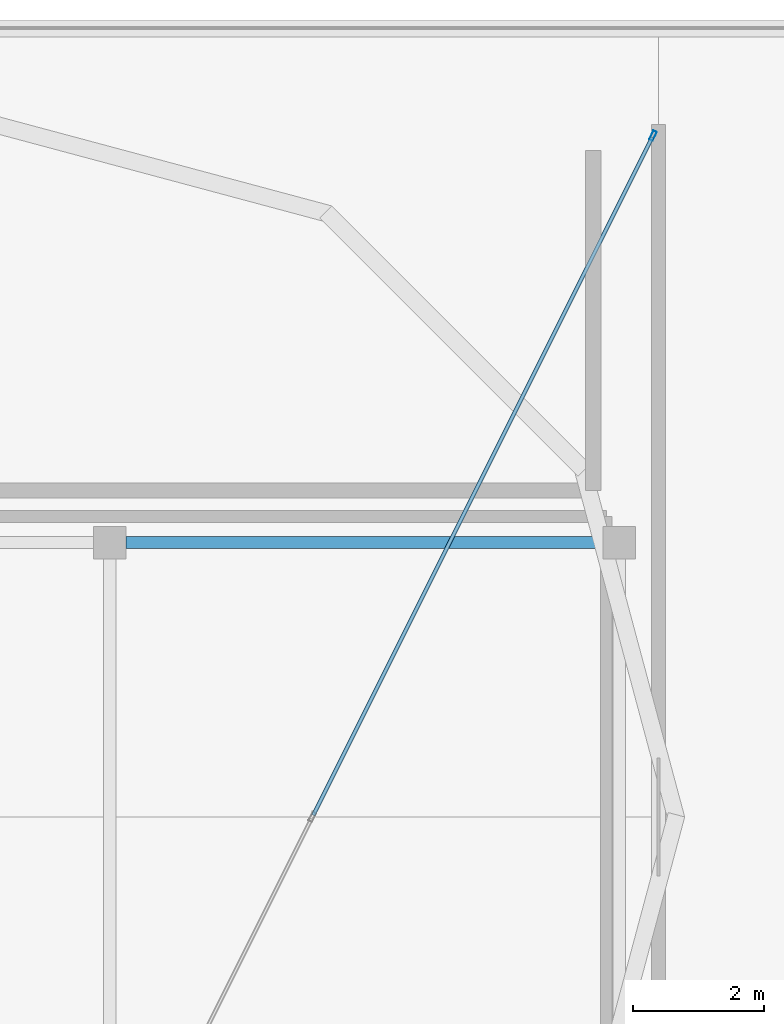
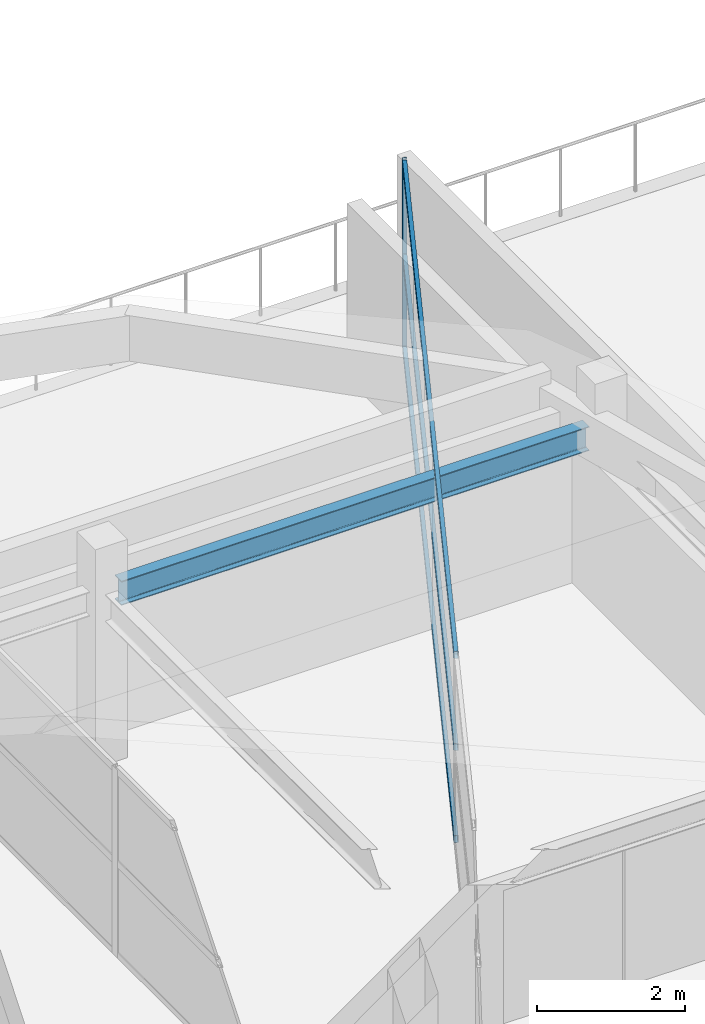
# One storey, part 11 of 15: 4 members, 1 beam, 1 element without a shape of its own.
"""IFC4 building model written with IfcOpenShell, lengths in metres."""

from ifc_helpers import new_model, si_unit, direction, frame, origin, origin_2d, place, context, subcontext, project, spatial, hollow_rectangle, i_section, extrude, material, layer, layer_set, material_profile, profile_set, type_object, element, aggregate, save


model = new_model("IFC4")

# Units and contexts
model_context = context("Model", 3, precision=1e-05, world=origin(), true_north=direction((0.0, 1.0)))
body_context = subcontext(model_context, "Body", "Model", "MODEL_VIEW")
ifc_project = project(units=[si_unit("LENGTHUNIT", "METRE"), si_unit("AREAUNIT", "SQUARE_METRE"), si_unit("VOLUMEUNIT", "CUBIC_METRE"), si_unit("PLANEANGLEUNIT", "RADIAN"), si_unit("MASSUNIT", "GRAM", prefix="KILO")], contexts=[model_context])

# Site, building, storey
site_placement = place(None, origin())
site = spatial("IfcSite", under=ifc_project, at=site_placement, CompositionType="ELEMENT")
building_placement = place(site_placement, origin())
building = spatial("IfcBuilding", under=site, at=building_placement, Name="Zizhar Promenade General Hospital", CompositionType="ELEMENT")
storey_placement = place(building_placement, frame((0.0, 0.0, 43.199951171875)))
storey = spatial("IfcBuildingStorey", under=building, at=storey_placement, Name="Roof", CompositionType="ELEMENT", Elevation=43.199951171875)

# Beam
ifc_material_1 = material(Name="Steel S355", Category="steel")
ifc_material_profile_1 = material_profile(ifc_material_1, i_section(OverallWidth=0.179931640625, OverallDepth=0.39990234375, WebThickness=0.008544921875, FlangeThickness=0.013427734375, FilletRadius=0.02099609375, at=origin_2d()))
ifc_profile_set_1 = profile_set([ifc_material_profile_1], Name="Steel S355")
beam_type = type_object("IfcBeamType", Name="BM-STL-IPE400", PredefinedType="JOIST", material=ifc_profile_set_1)
beam_placement = place(storey_placement, frame((62.64990234375, 16.800048828125, 2.610107421875), z_axis=(1.0, 0.0, 0.0), x_axis=(0.0, 1.0, 0.0)))
element("IfcBeam", 1, at=beam_placement, inside=storey, type_object=beam_type, Name="Grid Beam X Roof (8-2)", PredefinedType="JOIST", context=body_context, shape_type="SweptSolid", body=[
    extrude(i_section(OverallWidth=0.179931640625, OverallDepth=0.39990234375, WebThickness=0.008544921875, FlangeThickness=0.013427734375, FilletRadius=0.02099609375, at=origin_2d()), origin(), (0.0, 0.0, 1.0), 7.300048828125),
])

# Curtain wall, members
ifc_material_2 = material(Name="Anodised aluminium 6063-T6 and low-E glass", Category="aluminium")
ifc_layer = layer(ifc_material_2, 0.159912109375)
ifc_layer_set = layer_set([ifc_layer], Name="Anodised aluminium 6063-T6 and low-E glass")
curtain_wall_type = type_object("IfcCurtainWallType", Name="CW-WARD-ARC", PredefinedType="NOTDEFINED", material=ifc_layer_set)
curtain_wall_placement = place(storey_placement, origin())
curtain_wall = element("IfcCurtainWall", 2, at=curtain_wall_placement, inside=storey, type_object=curtain_wall_type, Name="Rooftop Pillow Crown Glazing 02", PredefinedType="NOTDEFINED")
ifc_material_3 = material(Name="Anodised aluminium 6063-T6", Category="aluminium")
ifc_material_profile_2 = material_profile(ifc_material_3, hollow_rectangle(XDim=0.06005859375, YDim=0.14990234375, WallThickness=0.00390625, at=origin_2d()))
ifc_profile_set_2 = profile_set([ifc_material_profile_2], Name="Anodised aluminium 6063-T6")
member_type_1 = type_object("IfcMemberType", Name="CWM-ALU-150x60", PredefinedType="MULLION", material=ifc_profile_set_2)
member_1_placement = place(storey_placement, frame((70.715087890625, 23.030029296875, 0.0), z_axis=(0.0, 0.0, 1.0), x_axis=(-0.894428901692, 0.447210174098, 0.0)))
member_1 = element("IfcMember", 3, at=member_1_placement, type_object=member_type_1, Name="CW-12 mullion 3", PredefinedType="MULLION", context=body_context, shape_type="SweptSolid", body=[
    extrude(hollow_rectangle(XDim=0.06005859375, YDim=0.14990234375, WallThickness=0.00390625, at=origin_2d()), origin(), (0.0, 0.0, 1.0), 3.10009765625),
])
ifc_material_4 = material(Name="Anodised aluminium 6063-T6", Category="aluminium")
ifc_material_profile_3 = material_profile(ifc_material_4, hollow_rectangle(XDim=0.06005859375, YDim=0.1201171875, WallThickness=0.00390625, at=origin_2d()))
ifc_profile_set_3 = profile_set([ifc_material_profile_3], Name="Anodised aluminium 6063-T6")
member_type_2 = type_object("IfcMemberType", Name="CWT-ALU-120x60", PredefinedType="USERDEFINED", material=ifc_profile_set_3)
member_2_placement = place(storey_placement, frame((65.513427734375, 12.626953125, 0.030029296875), z_axis=(0.447222013381, 0.89442298201, 0.0), x_axis=(-0.89442298201, 0.447222013381, 0.0)))
member_2 = element("IfcMember", 4, at=member_2_placement, type_object=member_type_2, Name="CW-12 transom 2.1", ObjectType="TRANSOM", PredefinedType="USERDEFINED", context=body_context, shape_type="SweptSolid", body=[
    extrude(hollow_rectangle(XDim=0.06005859375, YDim=0.1201171875, WallThickness=0.00390625, at=origin_2d()), origin(), (0.0, 0.0, 1.0), 11.60107421875),
])
member_3_placement = place(storey_placement, frame((65.513427734375, 12.626953125, 1.550048828125), z_axis=(0.447222013381, 0.89442298201, 0.0), x_axis=(-0.89442298201, 0.447222013381, 0.0)))
member_3 = element("IfcMember", 5, at=member_3_placement, type_object=member_type_2, Name="CW-12 transom 2.2", ObjectType="TRANSOM", PredefinedType="USERDEFINED", context=body_context, shape_type="SweptSolid", body=[
    extrude(hollow_rectangle(XDim=0.06005859375, YDim=0.1201171875, WallThickness=0.00390625, at=origin_2d()), origin(), (0.0, 0.0, 1.0), 11.60107421875),
])
member_4_placement = place(storey_placement, frame((65.513427734375, 12.626953125, 3.070068359375), z_axis=(0.447222013381, 0.89442298201, 0.0), x_axis=(-0.89442298201, 0.447222013381, 0.0)))
member_4 = element("IfcMember", 6, at=member_4_placement, type_object=member_type_2, Name="CW-12 transom 2.3", ObjectType="TRANSOM", PredefinedType="USERDEFINED", context=body_context, shape_type="SweptSolid", body=[
    extrude(hollow_rectangle(XDim=0.06005859375, YDim=0.1201171875, WallThickness=0.00390625, at=origin_2d()), origin(), (0.0, 0.0, 1.0), 11.60107421875),
])
aggregate(curtain_wall, [member_1, member_2, member_3, member_4])

save(model, "model.ifc")
